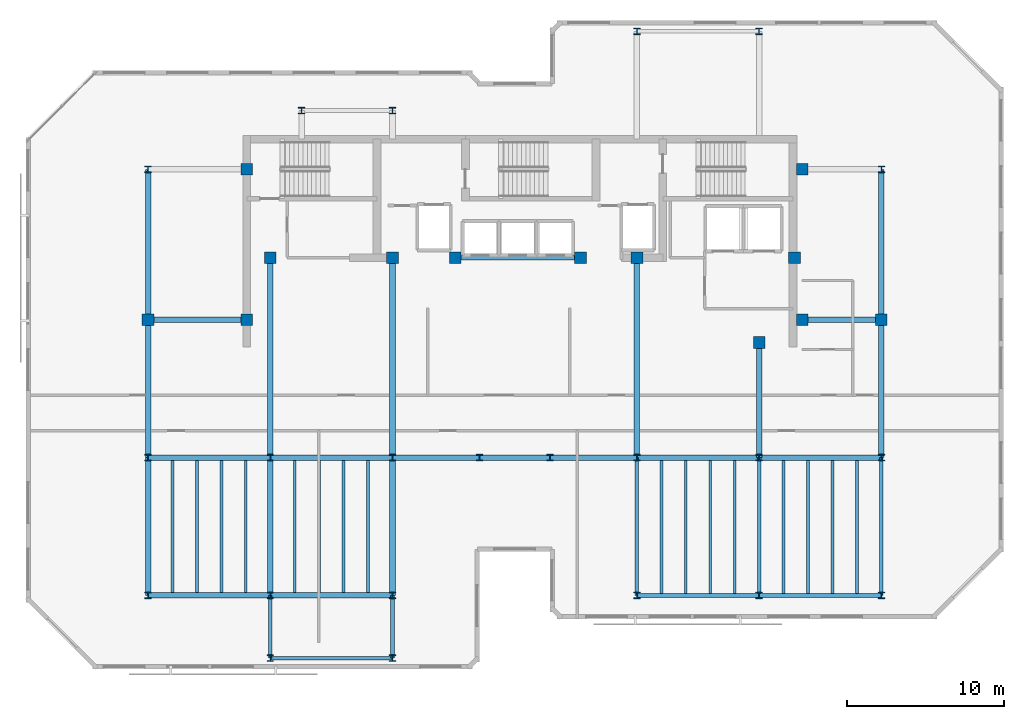
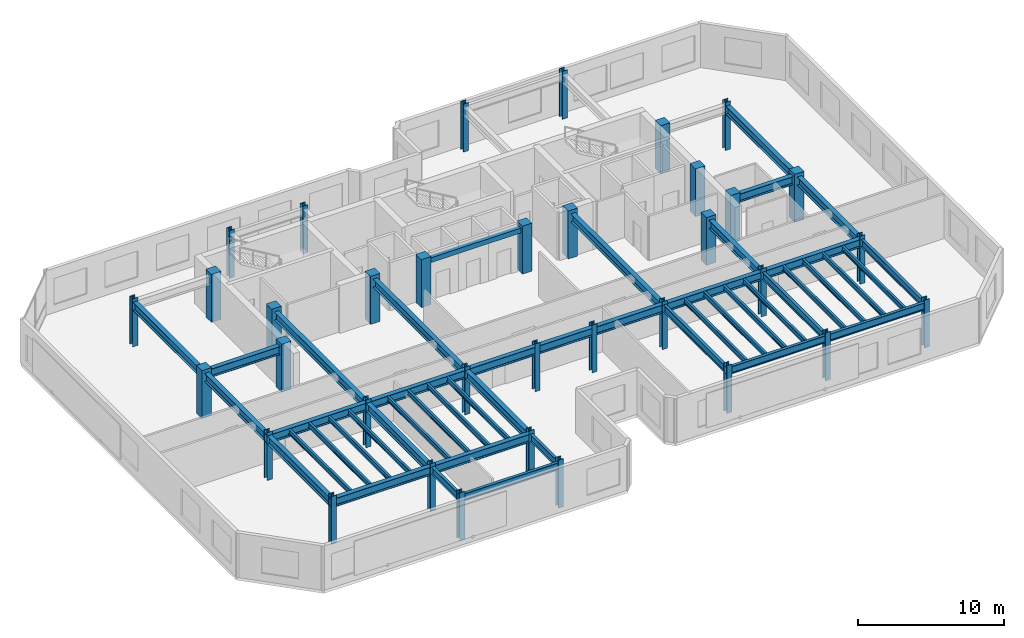
# One storey, part 1 of 9: 47 beams, 35 columns.
"""IFC4 building model written with IfcOpenShell, lengths in metres."""

from ifc_helpers import new_model, si_unit, direction, frame, origin, origin_2d, place, context, subcontext, project, spatial, rectangle, i_section, extrude, material, material_profile, profile_set, type_object, element, save


model = new_model("IFC4")

# Units and contexts
model_context = context("Model", 3, precision=1e-05, world=origin(), true_north=direction((0.0, 1.0)))
body_context = subcontext(model_context, "Body", "Model", "MODEL_VIEW")
ifc_project = project(units=[si_unit("LENGTHUNIT", "METRE"), si_unit("AREAUNIT", "SQUARE_METRE"), si_unit("VOLUMEUNIT", "CUBIC_METRE"), si_unit("PLANEANGLEUNIT", "RADIAN"), si_unit("MASSUNIT", "GRAM", prefix="KILO")], contexts=[model_context])

# Site, building, storey
site_placement = place(None, origin())
site = spatial("IfcSite", under=ifc_project, at=site_placement, CompositionType="ELEMENT")
building_placement = place(site_placement, origin())
building = spatial("IfcBuilding", under=site, at=building_placement, Name="Kestravale Grand Hotel", CompositionType="ELEMENT")
storey_placement = place(building_placement, frame((0.0, 0.0, 293.39990234375)))
storey = spatial("IfcBuildingStorey", under=building, at=storey_placement, Name="L73", CompositionType="ELEMENT", Elevation=293.39990234375)

# Columns
ifc_material_1 = material(Name="Concrete f'c 50 MPa", Category="concrete")
ifc_material_profile_1 = material_profile(ifc_material_1, rectangle(XDim=0.75, YDim=0.75, at=origin_2d()))
ifc_profile_set_1 = profile_set([ifc_material_profile_1], Name="Concrete f'c 50 MPa")
column_type_1 = type_object("IfcColumnType", Name="C-Z4-750", PredefinedType="COLUMN", material=ifc_profile_set_1)
for number, where, z_axis, x_axis, name in (
    (1, (15.60009765625, 28.800048828125, 0.0), (0.0, 0.0, 1.0), (1.0, 0.0, 0.0), "L73 column 3-E"),
    (2, (62.39990234375, 28.800048828125, 0.0), (0.0, 0.0, 1.0), (1.0, 0.0, 0.0), "L73 column 10-E"),
    (3, (21.89990234375, 28.800048828125, 0.0), (0.0, 0.0, 1.0), (1.0, 0.0, 0.0), "L73 column CW-E"),
    (4, (21.89990234375, 38.39990234375, 0.0), (0.0, 0.0, 1.0), (1.0, 0.0, 0.0), "L73 column CW-F"),
    (5, (57.35009765625, 28.800048828125, 0.0), (0.0, 0.0, 1.0), (1.0, 0.0, 0.0), "L73 column CE-E"),
    (6, (57.35009765625, 38.39990234375, 0.0), (0.0, 0.0, 1.0), (1.0, 0.0, 0.0), "L73 column CE-F"),
    (7, (23.39990234375, 32.75, 0.0), (0.0, 0.0, 1.0), (1.0, 0.0, 0.0), "L73 column 4-CS"),
    (8, (31.199951171875, 32.75, 0.0), (0.0, 0.0, 1.0), (1.0, 0.0, 0.0), "L73 column 5-CS"),
    (9, (35.199951171875, 32.75, 0.0), (0.0, 0.0, 1.0), (1.0, 0.0, 0.0), "L73 column 6C-CS"),
    (10, (43.199951171875, 32.75, 0.0), (0.0, 0.0, 1.0), (1.0, 0.0, 0.0), "L73 column 7C-CS"),
    (11, (46.800048828125, 32.75, 0.0), (0.0, 0.0, 1.0), (1.0, 0.0, 0.0), "L73 column 8-CS"),
    (12, (54.60009765625, 27.35009765625, 0.0), (0.0, 0.0, 1.0), (1.0, 0.0, 0.0), "L73 column 9-CS"),
    (13, (56.85009765625, 32.75, 0.0), (0.0, 0.0, 1.0), (1.0, 0.0, 0.0), "L73 column 9C-CS"),
):
    element("IfcColumn", number, at=place(storey_placement, frame(where, z_axis=z_axis, x_axis=x_axis)), inside=storey, type_object=column_type_1, Name=name, PredefinedType="COLUMN", context=body_context, shape_type="SweptSolid", body=[
        extrude(rectangle(XDim=0.75, YDim=0.75, at=origin_2d()), origin(), (0.0, 0.0, 1.0), 4.0),
    ])
ifc_material_2 = material(Name="Steel ASTM A992 Grade 50", Category="steel")
ifc_material_profile_2 = material_profile(ifc_material_2, i_section(OverallWidth=0.406005859375, OverallDepth=0.4169921875, WebThickness=0.02978515625, FlangeThickness=0.048095703125, FilletRadius=0.01708984375, at=origin_2d()))
ifc_profile_set_2 = profile_set([ifc_material_profile_2], Name="Steel ASTM A992 Grade 50")
column_type_2 = type_object("IfcColumnType", Name="C-Z4-W14X257", PredefinedType="COLUMN", material=ifc_profile_set_2)
for number, where, z_axis, x_axis, name in (
    (14, (15.60009765625, 11.199951171875, 0.0), (0.0, 0.0, 1.0), (1.0, 0.0, 0.0), "L73 column 3-C"),
    (15, (15.60009765625, 20.0, 0.0), (0.0, 0.0, 1.0), (1.0, 0.0, 0.0), "L73 column 3-D"),
    (16, (15.60009765625, 38.39990234375, 0.0), (0.0, 0.0, 1.0), (1.0, 0.0, 0.0), "L73 column 3-F"),
    (17, (23.39990234375, 11.199951171875, 0.0), (0.0, 0.0, 1.0), (1.0, 0.0, 0.0), "L73 column 4-C"),
    (18, (23.39990234375, 20.0, 0.0), (0.0, 0.0, 1.0), (1.0, 0.0, 0.0), "L73 column 4-D"),
    (19, (31.199951171875, 11.199951171875, 0.0), (0.0, 0.0, 1.0), (1.0, 0.0, 0.0), "L73 column 5-C"),
    (20, (31.199951171875, 20.0, 0.0), (0.0, 0.0, 1.0), (1.0, 0.0, 0.0), "L73 column 5-D"),
    (21, (36.75, 20.0, 0.0), (0.0, 0.0, 1.0), (1.0, 0.0, 0.0), "L73 column 6-D"),
    (22, (41.25, 20.0, 0.0), (0.0, 0.0, 1.0), (1.0, 0.0, 0.0), "L73 column 7-D"),
    (23, (46.800048828125, 11.199951171875, 0.0), (0.0, 0.0, 1.0), (1.0, 0.0, 0.0), "L73 column 8-C"),
    (24, (46.800048828125, 20.0, 0.0), (0.0, 0.0, 1.0), (1.0, 0.0, 0.0), "L73 column 8-D"),
    (25, (46.800048828125, 47.199951171875, 0.0), (0.0, 0.0, 1.0), (1.0, 0.0, 0.0), "L73 column 8-G"),
    (26, (54.60009765625, 11.199951171875, 0.0), (0.0, 0.0, 1.0), (1.0, 0.0, 0.0), "L73 column 9-C"),
    (27, (54.60009765625, 20.0, 0.0), (0.0, 0.0, 1.0), (1.0, 0.0, 0.0), "L73 column 9-D"),
    (28, (54.60009765625, 47.199951171875, 0.0), (0.0, 0.0, 1.0), (1.0, 0.0, 0.0), "L73 column 9-G"),
    (29, (62.39990234375, 11.199951171875, 0.0), (0.0, 0.0, 1.0), (1.0, 0.0, 0.0), "L73 column 10-C"),
    (30, (62.39990234375, 20.0, 0.0), (0.0, 0.0, 1.0), (1.0, 0.0, 0.0), "L73 column 10-D"),
    (31, (62.39990234375, 38.39990234375, 0.0), (0.0, 0.0, 1.0), (1.0, 0.0, 0.0), "L73 column 10-F"),
    (32, (23.39990234375, 7.199951171875, 0.0), (0.0, 0.0, 1.0), (1.0, 0.0, 0.0), "L73 column 4-BS"),
    (33, (31.199951171875, 7.199951171875, 0.0), (0.0, 0.0, 1.0), (1.0, 0.0, 0.0), "L73 column 5-BS"),
    (34, (25.39990234375, 42.14990234375, 0.0), (0.0, 0.0, 1.0), (1.0, 0.0, 0.0), "L73 column 4-FN"),
    (35, (31.199951171875, 42.14990234375, 0.0), (0.0, 0.0, 1.0), (1.0, 0.0, 0.0), "L73 column 5-FN"),
):
    element("IfcColumn", number, at=place(storey_placement, frame(where, z_axis=z_axis, x_axis=x_axis)), inside=storey, type_object=column_type_2, Name=name, PredefinedType="COLUMN", context=body_context, shape_type="SweptSolid", body=[
        extrude(i_section(OverallWidth=0.406005859375, OverallDepth=0.4169921875, WebThickness=0.02978515625, FlangeThickness=0.048095703125, FilletRadius=0.01708984375, at=origin_2d()), origin(), (0.0, 0.0, 1.0), 4.0),
    ])

# Beams
ifc_material_3 = material(Name="Steel ASTM A992 Grade 50", Category="steel")
ifc_material_profile_3 = material_profile(ifc_material_3, i_section(OverallWidth=0.177978515625, OverallDepth=0.404052734375, WebThickness=0.007568359375, FlangeThickness=0.010986328125, FilletRadius=0.01416015625, at=origin_2d()))
ifc_profile_set_3 = profile_set([ifc_material_profile_3], Name="Steel ASTM A992 Grade 50")
beam_type_1 = type_object("IfcBeamType", Name="B-FLR-JST16", PredefinedType="JOIST", material=ifc_profile_set_3)
for number, where, z_axis, x_axis, name in (
    (36, (17.159912109375, 11.3779296875, 3.508056640625), (0.0, 1.0, 0.0), (-1.0, 0.0, 0.0), "L73 floor joist 3-4/C-D #1"),
    (37, (18.719970703125, 11.3779296875, 3.508056640625), (0.0, 1.0, 0.0), (-1.0, 0.0, 0.0), "L73 floor joist 3-4/C-D #2"),
    (38, (20.280029296875, 11.3779296875, 3.508056640625), (0.0, 1.0, 0.0), (-1.0, 0.0, 0.0), "L73 floor joist 3-4/C-D #3"),
    (39, (21.840087890625, 11.3779296875, 3.508056640625), (0.0, 1.0, 0.0), (-1.0, 0.0, 0.0), "L73 floor joist 3-4/C-D #4"),
    (40, (24.9599609375, 11.3779296875, 3.508056640625), (0.0, 1.0, 0.0), (-1.0, 0.0, 0.0), "L73 floor joist 4-5/C-D #1"),
    (41, (26.52001953125, 11.3779296875, 3.508056640625), (0.0, 1.0, 0.0), (-1.0, 0.0, 0.0), "L73 floor joist 4-5/C-D #2"),
    (42, (28.080078125, 11.3779296875, 3.508056640625), (0.0, 1.0, 0.0), (-1.0, 0.0, 0.0), "L73 floor joist 4-5/C-D #3"),
    (43, (29.639892578125, 11.3779296875, 3.508056640625), (0.0, 1.0, 0.0), (-1.0, 0.0, 0.0), "L73 floor joist 4-5/C-D #4"),
):
    element("IfcBeam", number, at=place(storey_placement, frame(where, z_axis=z_axis, x_axis=x_axis)), inside=storey, type_object=beam_type_1, Name=name, PredefinedType="JOIST", context=body_context, shape_type="SweptSolid", body=[
        extrude(i_section(OverallWidth=0.177978515625, OverallDepth=0.404052734375, WebThickness=0.007568359375, FlangeThickness=0.010986328125, FilletRadius=0.01416015625, at=origin_2d()), origin(), (0.0, 0.0, 1.0), 8.444091796875),
    ])
for number, where, z_axis, x_axis, name in (
    (44, (48.360107421875, 11.314453125, 3.508056640625), (0.0, 1.0, 0.0), (-1.0, 0.0, 0.0), "L73 floor joist 8-9/C-D #1"),
    (45, (49.919921875, 11.314453125, 3.508056640625), (0.0, 1.0, 0.0), (-1.0, 0.0, 0.0), "L73 floor joist 8-9/C-D #2"),
    (46, (51.47998046875, 11.314453125, 3.508056640625), (0.0, 1.0, 0.0), (-1.0, 0.0, 0.0), "L73 floor joist 8-9/C-D #3"),
    (47, (53.0400390625, 11.314453125, 3.508056640625), (0.0, 1.0, 0.0), (-1.0, 0.0, 0.0), "L73 floor joist 8-9/C-D #4"),
    (48, (56.159912109375, 11.314453125, 3.508056640625), (0.0, 1.0, 0.0), (-1.0, 0.0, 0.0), "L73 floor joist 9-10/C-D #1"),
    (49, (57.719970703125, 11.314453125, 3.508056640625), (0.0, 1.0, 0.0), (-1.0, 0.0, 0.0), "L73 floor joist 9-10/C-D #2"),
    (50, (59.280029296875, 11.314453125, 3.508056640625), (0.0, 1.0, 0.0), (-1.0, 0.0, 0.0), "L73 floor joist 9-10/C-D #3"),
    (51, (60.840087890625, 11.314453125, 3.508056640625), (0.0, 1.0, 0.0), (-1.0, 0.0, 0.0), "L73 floor joist 9-10/C-D #4"),
):
    element("IfcBeam", number, at=place(storey_placement, frame(where, z_axis=z_axis, x_axis=x_axis)), inside=storey, type_object=beam_type_1, Name=name, PredefinedType="JOIST", context=body_context, shape_type="SweptSolid", body=[
        extrude(i_section(OverallWidth=0.177978515625, OverallDepth=0.404052734375, WebThickness=0.007568359375, FlangeThickness=0.010986328125, FilletRadius=0.01416015625, at=origin_2d()), origin(), (0.0, 0.0, 1.0), 8.507568359375),
    ])
ifc_material_4 = material(Name="Concrete f'c 45 MPa", Category="concrete")
ifc_material_profile_4 = material_profile(ifc_material_4, rectangle(XDim=0.300048828125, YDim=0.39990234375, at=origin_2d()))
ifc_profile_set_4 = profile_set([ifc_material_profile_4], Name="Concrete f'c 45 MPa")
beam_type_2 = type_object("IfcBeamType", Name="B-FLR-LNT400", PredefinedType="LINTEL", material=ifc_profile_set_4)
beam_1_placement = place(storey_placement, frame((35.199951171875, 32.75, 3.510009765625), z_axis=(1.0, 0.0, 0.0), x_axis=(0.0, 1.0, 0.0)))
element("IfcBeam", 52, at=beam_1_placement, inside=storey, type_object=beam_type_2, Name="L73 core portal header lintel", PredefinedType="LINTEL", context=body_context, shape_type="SweptSolid", body=[
    extrude(rectangle(XDim=0.300048828125, YDim=0.39990234375, at=origin_2d()), origin(), (0.0, 0.0, 1.0), 8.0),
])
ifc_material_5 = material(Name="Steel ASTM A992 Grade 50", Category="steel")
ifc_material_profile_5 = material_profile(ifc_material_5, i_section(OverallWidth=0.22900390625, OverallDepth=0.612060546875, WebThickness=0.011962890625, FlangeThickness=0.01953125, FilletRadius=0.019287109375, at=origin_2d()))
ifc_profile_set_5 = profile_set([ifc_material_profile_5], Name="Steel ASTM A992 Grade 50")
beam_type_3 = type_object("IfcBeamType", Name="B-FLR-W24B", PredefinedType="SPANDREL", material=ifc_profile_set_5)
beam_2_placement = place(storey_placement, frame((46.800048828125, 11.199951171875, 3.404052734375), z_axis=(1.0, 0.0, 0.0), x_axis=(0.0, 1.0, 0.0)))
element("IfcBeam", 53, at=beam_2_placement, inside=storey, type_object=beam_type_3, Name="L73 spandrel C:8-9", PredefinedType="SPANDREL", context=body_context, shape_type="SweptSolid", body=[
    extrude(i_section(OverallWidth=0.22900390625, OverallDepth=0.612060546875, WebThickness=0.011962890625, FlangeThickness=0.01953125, FilletRadius=0.019287109375, at=origin_2d()), origin(), (0.0, 0.0, 1.0), 7.800048828125),
])
beam_3_placement = place(storey_placement, frame((54.60009765625, 11.199951171875, 3.404052734375), z_axis=(1.0, 0.0, 0.0), x_axis=(0.0, 1.0, 0.0)))
element("IfcBeam", 54, at=beam_3_placement, inside=storey, type_object=beam_type_3, Name="L73 spandrel C:9-10", PredefinedType="SPANDREL", context=body_context, shape_type="SweptSolid", body=[
    extrude(i_section(OverallWidth=0.22900390625, OverallDepth=0.612060546875, WebThickness=0.011962890625, FlangeThickness=0.01953125, FilletRadius=0.019287109375, at=origin_2d()), origin(), (0.0, 0.0, 1.0), 7.7998046875),
])
beam_4_placement = place(storey_placement, frame((23.39990234375, 7.199951171875, 3.404052734375), z_axis=(1.0, 0.0, 0.0), x_axis=(0.0, 1.0, 0.0)))
element("IfcBeam", 55, at=beam_4_placement, inside=storey, type_object=beam_type_3, Name="L73 perimeter tie spandrel BS:4-5", PredefinedType="SPANDREL", context=body_context, shape_type="SweptSolid", body=[
    extrude(i_section(OverallWidth=0.22900390625, OverallDepth=0.612060546875, WebThickness=0.011962890625, FlangeThickness=0.01953125, FilletRadius=0.019287109375, at=origin_2d()), origin(), (0.0, 0.0, 1.0), 7.800048828125),
])
for number, where, z_axis, x_axis, name in (
    (56, (23.39990234375, 7.199951171875, 3.404052734375), (0.0, 1.0, 0.0), (-1.0, 0.0, 0.0), "L73 spandrel 4:BS-C"),
    (57, (31.199951171875, 7.199951171875, 3.404052734375), (0.0, 1.0, 0.0), (-1.0, 0.0, 0.0), "L73 spandrel 5:BS-C"),
):
    element("IfcBeam", number, at=place(storey_placement, frame(where, z_axis=z_axis, x_axis=x_axis)), inside=storey, type_object=beam_type_3, Name=name, PredefinedType="SPANDREL", context=body_context, shape_type="SweptSolid", body=[
        extrude(i_section(OverallWidth=0.22900390625, OverallDepth=0.612060546875, WebThickness=0.011962890625, FlangeThickness=0.01953125, FilletRadius=0.019287109375, at=origin_2d()), origin(), (0.0, 0.0, 1.0), 4.0),
    ])
for number, where, z_axis, x_axis, name in (
    (58, (46.800048828125, 11.199951171875, 3.404052734375), (0.0, 1.0, 0.0), (-1.0, 0.0, 0.0), "L73 spandrel 8:C-D"),
    (59, (54.60009765625, 11.199951171875, 3.404052734375), (0.0, 1.0, 0.0), (-1.0, 0.0, 0.0), "L73 spandrel 9:C-D"),
    (60, (62.39990234375, 11.199951171875, 3.404052734375), (0.0, 1.0, 0.0), (-1.0, 0.0, 0.0), "L73 spandrel 10:C-D"),
):
    element("IfcBeam", number, at=place(storey_placement, frame(where, z_axis=z_axis, x_axis=x_axis)), inside=storey, type_object=beam_type_3, Name=name, PredefinedType="SPANDREL", context=body_context, shape_type="SweptSolid", body=[
        extrude(i_section(OverallWidth=0.22900390625, OverallDepth=0.612060546875, WebThickness=0.011962890625, FlangeThickness=0.01953125, FilletRadius=0.019287109375, at=origin_2d()), origin(), (0.0, 0.0, 1.0), 8.800048828125),
    ])
ifc_material_6 = material(Name="Steel ASTM A992 Grade 50", Category="steel")
ifc_material_profile_6 = material_profile(ifc_material_6, i_section(OverallWidth=0.35595703125, OverallDepth=0.696044921875, WebThickness=0.015380859375, FlangeThickness=0.02490234375, FilletRadius=0.021240234375, at=origin_2d()))
ifc_profile_set_6 = profile_set([ifc_material_profile_6], Name="Steel ASTM A992 Grade 50")
beam_type_4 = type_object("IfcBeamType", Name="B-GRD-W27", PredefinedType="BEAM", material=ifc_profile_set_6)
beam_5_placement = place(storey_placement, frame((15.60009765625, 11.199951171875, 3.362060546875), z_axis=(1.0, 0.0, 0.0), x_axis=(0.0, 1.0, 0.0)))
element("IfcBeam", 61, at=beam_5_placement, inside=storey, type_object=beam_type_4, Name="L73 girder C:3-4", PredefinedType="BEAM", context=body_context, shape_type="SweptSolid", body=[
    extrude(i_section(OverallWidth=0.35595703125, OverallDepth=0.696044921875, WebThickness=0.015380859375, FlangeThickness=0.02490234375, FilletRadius=0.021240234375, at=origin_2d()), origin(), (0.0, 0.0, 1.0), 7.7998046875),
])
beam_6_placement = place(storey_placement, frame((23.39990234375, 11.199951171875, 3.362060546875), z_axis=(1.0, 0.0, 0.0), x_axis=(0.0, 1.0, 0.0)))
element("IfcBeam", 62, at=beam_6_placement, inside=storey, type_object=beam_type_4, Name="L73 girder C:4-5", PredefinedType="BEAM", context=body_context, shape_type="SweptSolid", body=[
    extrude(i_section(OverallWidth=0.35595703125, OverallDepth=0.696044921875, WebThickness=0.015380859375, FlangeThickness=0.02490234375, FilletRadius=0.021240234375, at=origin_2d()), origin(), (0.0, 0.0, 1.0), 7.800048828125),
])
beam_7_placement = place(storey_placement, frame((15.60009765625, 20.0, 3.362060546875), z_axis=(1.0, 0.0, 0.0), x_axis=(0.0, 1.0, 0.0)))
element("IfcBeam", 63, at=beam_7_placement, inside=storey, type_object=beam_type_4, Name="L73 girder D:3-4", PredefinedType="BEAM", context=body_context, shape_type="SweptSolid", body=[
    extrude(i_section(OverallWidth=0.35595703125, OverallDepth=0.696044921875, WebThickness=0.015380859375, FlangeThickness=0.02490234375, FilletRadius=0.021240234375, at=origin_2d()), origin(), (0.0, 0.0, 1.0), 7.7998046875),
])
beam_8_placement = place(storey_placement, frame((23.39990234375, 20.0, 3.362060546875), z_axis=(1.0, 0.0, 0.0), x_axis=(0.0, 1.0, 0.0)))
element("IfcBeam", 64, at=beam_8_placement, inside=storey, type_object=beam_type_4, Name="L73 girder D:4-5", PredefinedType="BEAM", context=body_context, shape_type="SweptSolid", body=[
    extrude(i_section(OverallWidth=0.35595703125, OverallDepth=0.696044921875, WebThickness=0.015380859375, FlangeThickness=0.02490234375, FilletRadius=0.021240234375, at=origin_2d()), origin(), (0.0, 0.0, 1.0), 7.800048828125),
])
beam_9_placement = place(storey_placement, frame((31.199951171875, 20.0, 3.362060546875), z_axis=(1.0, 0.0, 0.0), x_axis=(0.0, 1.0, 0.0)))
element("IfcBeam", 65, at=beam_9_placement, inside=storey, type_object=beam_type_4, Name="L73 girder D:5-6", PredefinedType="BEAM", context=body_context, shape_type="SweptSolid", body=[
    extrude(i_section(OverallWidth=0.35595703125, OverallDepth=0.696044921875, WebThickness=0.015380859375, FlangeThickness=0.02490234375, FilletRadius=0.021240234375, at=origin_2d()), origin(), (0.0, 0.0, 1.0), 5.550048828125),
])
beam_10_placement = place(storey_placement, frame((36.75, 20.0, 3.362060546875), z_axis=(1.0, 0.0, 0.0), x_axis=(0.0, 1.0, 0.0)))
element("IfcBeam", 66, at=beam_10_placement, inside=storey, type_object=beam_type_4, Name="L73 girder D:6-7", PredefinedType="BEAM", context=body_context, shape_type="SweptSolid", body=[
    extrude(i_section(OverallWidth=0.35595703125, OverallDepth=0.696044921875, WebThickness=0.015380859375, FlangeThickness=0.02490234375, FilletRadius=0.021240234375, at=origin_2d()), origin(), (0.0, 0.0, 1.0), 4.5),
])
beam_11_placement = place(storey_placement, frame((41.25, 20.0, 3.362060546875), z_axis=(1.0, 0.0, 0.0), x_axis=(0.0, 1.0, 0.0)))
element("IfcBeam", 67, at=beam_11_placement, inside=storey, type_object=beam_type_4, Name="L73 girder D:7-8", PredefinedType="BEAM", context=body_context, shape_type="SweptSolid", body=[
    extrude(i_section(OverallWidth=0.35595703125, OverallDepth=0.696044921875, WebThickness=0.015380859375, FlangeThickness=0.02490234375, FilletRadius=0.021240234375, at=origin_2d()), origin(), (0.0, 0.0, 1.0), 5.550048828125),
])
beam_12_placement = place(storey_placement, frame((46.800048828125, 20.0, 3.362060546875), z_axis=(1.0, 0.0, 0.0), x_axis=(0.0, 1.0, 0.0)))
element("IfcBeam", 68, at=beam_12_placement, inside=storey, type_object=beam_type_4, Name="L73 girder D:8-9", PredefinedType="BEAM", context=body_context, shape_type="SweptSolid", body=[
    extrude(i_section(OverallWidth=0.35595703125, OverallDepth=0.696044921875, WebThickness=0.015380859375, FlangeThickness=0.02490234375, FilletRadius=0.021240234375, at=origin_2d()), origin(), (0.0, 0.0, 1.0), 7.800048828125),
])
beam_13_placement = place(storey_placement, frame((54.60009765625, 20.0, 3.362060546875), z_axis=(1.0, 0.0, 0.0), x_axis=(0.0, 1.0, 0.0)))
element("IfcBeam", 69, at=beam_13_placement, inside=storey, type_object=beam_type_4, Name="L73 girder D:9-10", PredefinedType="BEAM", context=body_context, shape_type="SweptSolid", body=[
    extrude(i_section(OverallWidth=0.35595703125, OverallDepth=0.696044921875, WebThickness=0.015380859375, FlangeThickness=0.02490234375, FilletRadius=0.021240234375, at=origin_2d()), origin(), (0.0, 0.0, 1.0), 7.7998046875),
])
beam_14_placement = place(storey_placement, frame((15.60009765625, 28.800048828125, 3.362060546875), z_axis=(1.0, 0.0, 0.0), x_axis=(0.0, 1.0, 0.0)))
element("IfcBeam", 70, at=beam_14_placement, inside=storey, type_object=beam_type_4, Name="L73 girder E:3-CW", PredefinedType="BEAM", context=body_context, shape_type="SweptSolid", body=[
    extrude(i_section(OverallWidth=0.35595703125, OverallDepth=0.696044921875, WebThickness=0.015380859375, FlangeThickness=0.02490234375, FilletRadius=0.021240234375, at=origin_2d()), origin(), (0.0, 0.0, 1.0), 6.2998046875),
])
beam_15_placement = place(storey_placement, frame((57.35009765625, 28.800048828125, 3.362060546875), z_axis=(1.0, 0.0, 0.0), x_axis=(0.0, 1.0, 0.0)))
element("IfcBeam", 71, at=beam_15_placement, inside=storey, type_object=beam_type_4, Name="L73 girder E:CE-10", PredefinedType="BEAM", context=body_context, shape_type="SweptSolid", body=[
    extrude(i_section(OverallWidth=0.35595703125, OverallDepth=0.696044921875, WebThickness=0.015380859375, FlangeThickness=0.02490234375, FilletRadius=0.021240234375, at=origin_2d()), origin(), (0.0, 0.0, 1.0), 5.0498046875),
])
for number, where, z_axis, x_axis, name in (
    (72, (15.60009765625, 11.199951171875, 3.362060546875), (0.0, 1.0, 0.0), (-1.0, 0.0, 0.0), "L73 girder 3:C-D"),
    (73, (15.60009765625, 20.0, 3.362060546875), (0.0, 1.0, 0.0), (-1.0, 0.0, 0.0), "L73 girder 3:D-E"),
):
    element("IfcBeam", number, at=place(storey_placement, frame(where, z_axis=z_axis, x_axis=x_axis)), inside=storey, type_object=beam_type_4, Name=name, PredefinedType="BEAM", context=body_context, shape_type="SweptSolid", body=[
        extrude(i_section(OverallWidth=0.35595703125, OverallDepth=0.696044921875, WebThickness=0.015380859375, FlangeThickness=0.02490234375, FilletRadius=0.021240234375, at=origin_2d()), origin(), (0.0, 0.0, 1.0), 8.800048828125),
    ])
beam_16_placement = place(storey_placement, frame((15.60009765625, 28.800048828125, 3.362060546875), z_axis=(0.0, 1.0, 0.0), x_axis=(-1.0, 0.0, 0.0)))
element("IfcBeam", 74, at=beam_16_placement, inside=storey, type_object=beam_type_4, Name="L73 girder 3:E-F", PredefinedType="BEAM", context=body_context, shape_type="SweptSolid", body=[
    extrude(i_section(OverallWidth=0.35595703125, OverallDepth=0.696044921875, WebThickness=0.015380859375, FlangeThickness=0.02490234375, FilletRadius=0.021240234375, at=origin_2d()), origin(), (0.0, 0.0, 1.0), 9.599853515625),
])
beam_17_placement = place(storey_placement, frame((23.39990234375, 11.199951171875, 3.362060546875), z_axis=(0.0, 1.0, 0.0), x_axis=(-1.0, 0.0, 0.0)))
element("IfcBeam", 75, at=beam_17_placement, inside=storey, type_object=beam_type_4, Name="L73 girder 4:C-D", PredefinedType="BEAM", context=body_context, shape_type="SweptSolid", body=[
    extrude(i_section(OverallWidth=0.35595703125, OverallDepth=0.696044921875, WebThickness=0.015380859375, FlangeThickness=0.02490234375, FilletRadius=0.021240234375, at=origin_2d()), origin(), (0.0, 0.0, 1.0), 8.800048828125),
])
beam_18_placement = place(storey_placement, frame((23.39990234375, 20.0, 3.362060546875), z_axis=(0.0, 1.0, 0.0), x_axis=(-1.0, 0.0, 0.0)))
element("IfcBeam", 76, at=beam_18_placement, inside=storey, type_object=beam_type_4, Name="L73 girder 4:D-CS", PredefinedType="BEAM", context=body_context, shape_type="SweptSolid", body=[
    extrude(i_section(OverallWidth=0.35595703125, OverallDepth=0.696044921875, WebThickness=0.015380859375, FlangeThickness=0.02490234375, FilletRadius=0.021240234375, at=origin_2d()), origin(), (0.0, 0.0, 1.0), 12.75),
])
beam_19_placement = place(storey_placement, frame((31.199951171875, 11.199951171875, 3.362060546875), z_axis=(0.0, 1.0, 0.0), x_axis=(-1.0, 0.0, 0.0)))
element("IfcBeam", 77, at=beam_19_placement, inside=storey, type_object=beam_type_4, Name="L73 girder 5:C-D", PredefinedType="BEAM", context=body_context, shape_type="SweptSolid", body=[
    extrude(i_section(OverallWidth=0.35595703125, OverallDepth=0.696044921875, WebThickness=0.015380859375, FlangeThickness=0.02490234375, FilletRadius=0.021240234375, at=origin_2d()), origin(), (0.0, 0.0, 1.0), 8.800048828125),
])
for number, where, z_axis, x_axis, name in (
    (78, (31.199951171875, 20.0, 3.362060546875), (0.0, 1.0, 0.0), (-1.0, 0.0, 0.0), "L73 girder 5:D-CS"),
    (79, (46.800048828125, 20.0, 3.362060546875), (0.0, 1.0, 0.0), (-1.0, 0.0, 0.0), "L73 girder 8:D-CS"),
):
    element("IfcBeam", number, at=place(storey_placement, frame(where, z_axis=z_axis, x_axis=x_axis)), inside=storey, type_object=beam_type_4, Name=name, PredefinedType="BEAM", context=body_context, shape_type="SweptSolid", body=[
        extrude(i_section(OverallWidth=0.35595703125, OverallDepth=0.696044921875, WebThickness=0.015380859375, FlangeThickness=0.02490234375, FilletRadius=0.021240234375, at=origin_2d()), origin(), (0.0, 0.0, 1.0), 12.75),
    ])
beam_20_placement = place(storey_placement, frame((54.60009765625, 20.0, 3.362060546875), z_axis=(0.0, 1.0, 0.0), x_axis=(-1.0, 0.0, 0.0)))
element("IfcBeam", 80, at=beam_20_placement, inside=storey, type_object=beam_type_4, Name="L73 girder 9:D-CS", PredefinedType="BEAM", context=body_context, shape_type="SweptSolid", body=[
    extrude(i_section(OverallWidth=0.35595703125, OverallDepth=0.696044921875, WebThickness=0.015380859375, FlangeThickness=0.02490234375, FilletRadius=0.021240234375, at=origin_2d()), origin(), (0.0, 0.0, 1.0), 7.35009765625),
])
beam_21_placement = place(storey_placement, frame((62.39990234375, 20.0, 3.362060546875), z_axis=(0.0, 1.0, 0.0), x_axis=(-1.0, 0.0, 0.0)))
element("IfcBeam", 81, at=beam_21_placement, inside=storey, type_object=beam_type_4, Name="L73 girder 10:D-E", PredefinedType="BEAM", context=body_context, shape_type="SweptSolid", body=[
    extrude(i_section(OverallWidth=0.35595703125, OverallDepth=0.696044921875, WebThickness=0.015380859375, FlangeThickness=0.02490234375, FilletRadius=0.021240234375, at=origin_2d()), origin(), (0.0, 0.0, 1.0), 8.800048828125),
])
beam_22_placement = place(storey_placement, frame((62.39990234375, 28.800048828125, 3.362060546875), z_axis=(0.0, 1.0, 0.0), x_axis=(-1.0, 0.0, 0.0)))
element("IfcBeam", 82, at=beam_22_placement, inside=storey, type_object=beam_type_4, Name="L73 girder 10:E-F", PredefinedType="BEAM", context=body_context, shape_type="SweptSolid", body=[
    extrude(i_section(OverallWidth=0.35595703125, OverallDepth=0.696044921875, WebThickness=0.015380859375, FlangeThickness=0.02490234375, FilletRadius=0.021240234375, at=origin_2d()), origin(), (0.0, 0.0, 1.0), 9.599853515625),
])

save(model, "model.ifc")
